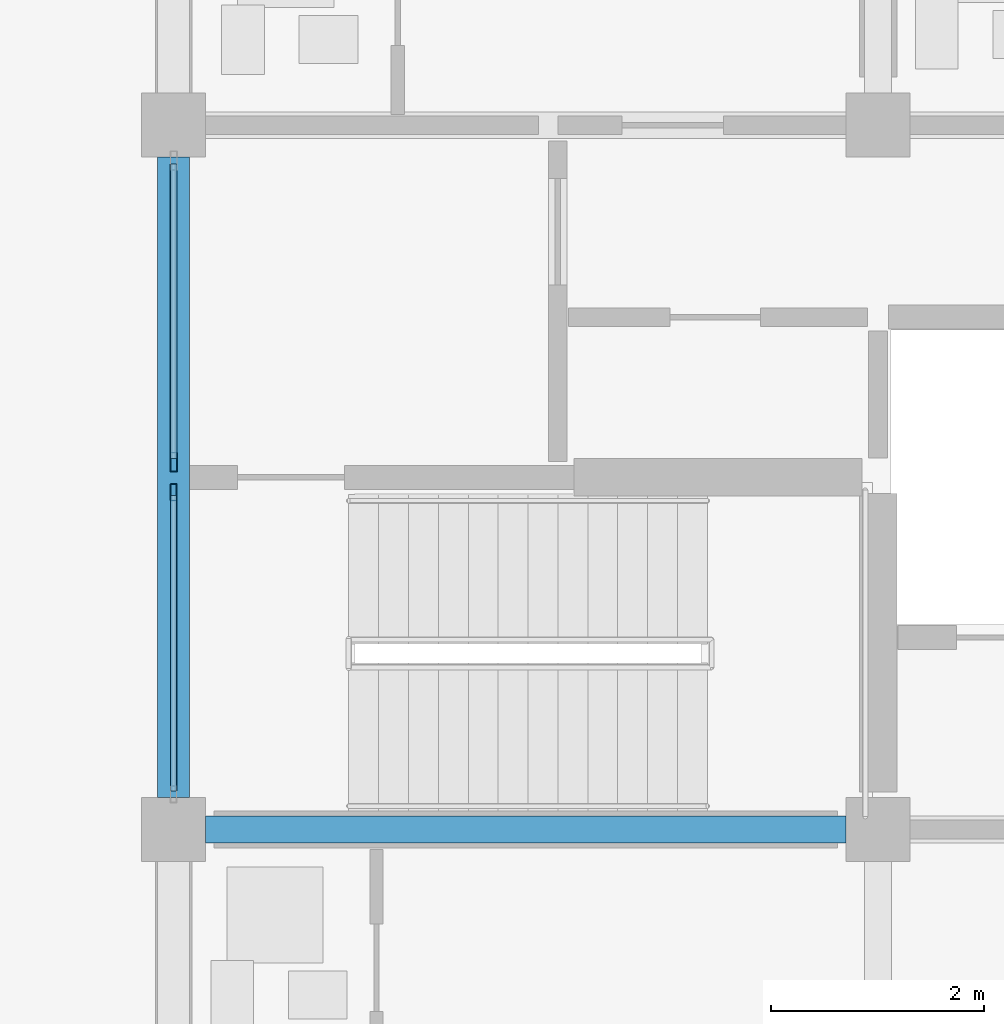
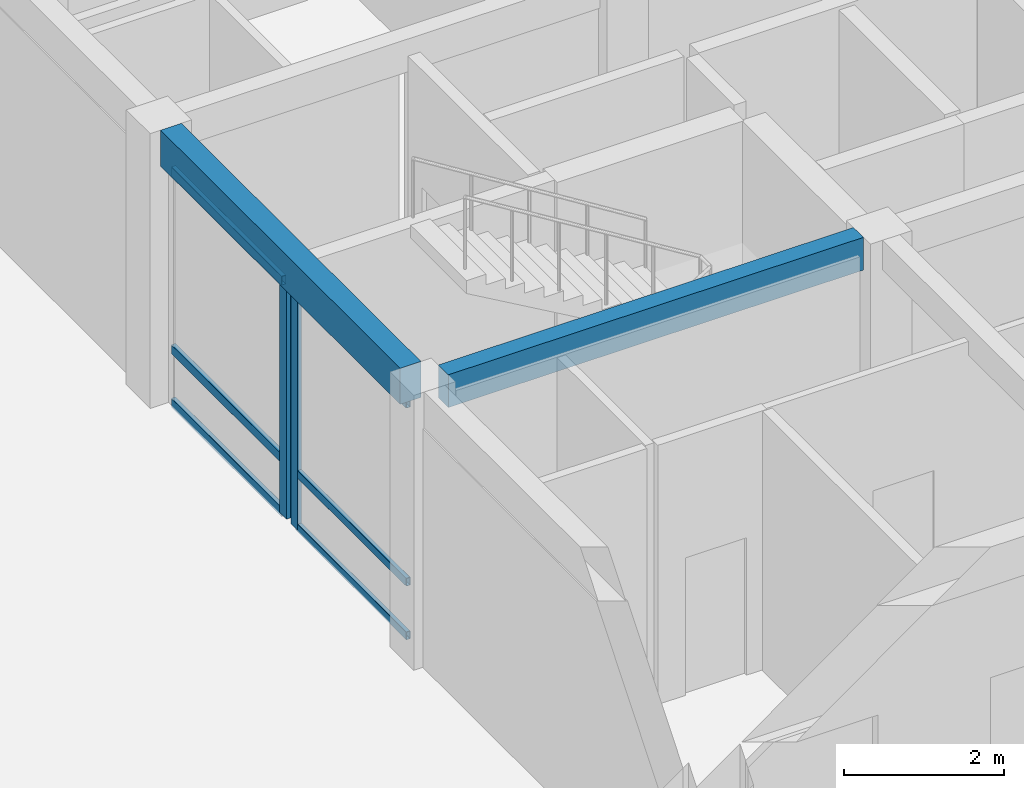
# One storey, part 33 of 92: 8 members, 2 beams, 2 elements without a shape of their own.
"""IFC4 building model written with IfcOpenShell, lengths in metres."""

from ifc_helpers import new_model, si_unit, direction, frame, origin, origin_2d, place, context, subcontext, project, spatial, rectangle, hollow_rectangle, extrude, material, material_profile, profile_set, type_object, element, aggregate, save


model = new_model("IFC4")

# Units and contexts
model_context = context("Model", 3, precision=1e-05, world=origin(), true_north=direction((0.0, 1.0)))
body_context = subcontext(model_context, "Body", "Model", "MODEL_VIEW")
ifc_project = project(units=[si_unit("LENGTHUNIT", "METRE"), si_unit("AREAUNIT", "SQUARE_METRE"), si_unit("VOLUMEUNIT", "CUBIC_METRE"), si_unit("PLANEANGLEUNIT", "RADIAN"), si_unit("MASSUNIT", "GRAM", prefix="KILO")], contexts=[model_context])

# Site, building, storey
site_placement = place(None, origin())
site = spatial("IfcSite", under=ifc_project, at=site_placement, CompositionType="ELEMENT")
building_placement = place(site_placement, origin())
building = spatial("IfcBuilding", under=site, at=building_placement, Name="Kernevlak Ridge Housing Community", CompositionType="ELEMENT")
storey_placement = place(building_placement, frame((0.0, 0.0, 4.199951171875)))
storey = spatial("IfcBuildingStorey", under=building, at=storey_placement, Name="L01", CompositionType="ELEMENT", Elevation=4.199951171875)

# Beam
ifc_material_1 = material(Name="Concrete C35/45", Category="concrete")
ifc_material_profile_1 = material_profile(ifc_material_1, rectangle(XDim=0.25, YDim=0.5, at=origin_2d()), Name="RC 250x500")
ifc_profile_set_1 = profile_set([ifc_material_profile_1], Name="Concrete C35/45")
beam_type_1 = type_object("IfcBeamType", Name="B-06", PredefinedType="T_BEAM", material=ifc_profile_set_1)
beam_1_placement = place(storey_placement, frame((15.89990234375, 82.60009765625, 3.949951171875), z_axis=(1.0, 0.0, 0.0), x_axis=(0.0, 1.0, 0.0)))
element("IfcBeam", 1, at=beam_1_placement, inside=storey, type_object=beam_type_1, Name="Beam B-06 L01 78", PredefinedType="T_BEAM", context=body_context, shape_type="SweptSolid", body=[
    extrude(rectangle(XDim=0.25, YDim=0.5, at=origin_2d()), origin(), (0.0, 0.0, 1.0), 6.0),
])

# Curtain wall, member
ifc_material_2 = material(Name="Aluminium EN AW-6060 anodised and laminated glass", Category="aluminium")
curtain_wall_type_1 = type_object("IfcCurtainWallType", Name="CW-02", PredefinedType="NOTDEFINED", material=ifc_material_2)
curtain_wall_1_placement = place(storey_placement, origin())
curtain_wall_1 = element("IfcCurtainWall", 2, at=curtain_wall_1_placement, inside=storey, type_object=curtain_wall_type_1, Name="Curtain wall CW-02 CW-L01-004", PredefinedType="NOTDEFINED")
ifc_material_3 = material(Name="Aluminium EN AW-6060 anodised", Category="aluminium")
ifc_material_profile_2 = material_profile(ifc_material_3, hollow_rectangle(XDim=0.06005859375, YDim=0.159912109375, WallThickness=0.00390625, InnerFilletRadius=0.001953125, OuterFilletRadius=0.00390625, at=origin_2d()), Name="ALU 60x160x4")
ifc_profile_set_2 = profile_set([ifc_material_profile_2], Name="Aluminium EN AW-6060 anodised")
member_type_1 = type_object("IfcMemberType", Name="MU-02", PredefinedType="MULLION", material=ifc_profile_set_2)
member_1_placement = place(storey_placement, frame((15.60009765625, 85.760009765625, 0.0), z_axis=(0.0, 0.0, 1.0), x_axis=(-1.0, 0.0, 0.0)))
member_1 = element("IfcMember", 3, at=member_1_placement, type_object=member_type_1, Name="CW-02 mullion 2", PredefinedType="MULLION", context=body_context, shape_type="SweptSolid", body=[
    extrude(hollow_rectangle(XDim=0.06005859375, YDim=0.159912109375, WallThickness=0.00390625, InnerFilletRadius=0.001953125, OuterFilletRadius=0.00390625, at=origin_2d()), origin(), (0.0, 0.0, 1.0), 3.60009765625),
])

curtain_wall_type_2 = type_object("IfcCurtainWallType", Name="CW-08", PredefinedType="NOTDEFINED", material=ifc_material_2)
curtain_wall_2_placement = place(storey_placement, origin())
curtain_wall_2 = element("IfcCurtainWall", 4, at=curtain_wall_2_placement, inside=storey, type_object=curtain_wall_type_2, Name="Curtain wall CW-08 CW-L01-005", PredefinedType="NOTDEFINED")
ifc_material_profile_3 = material_profile(ifc_material_3, hollow_rectangle(XDim=0.06494140625, YDim=0.179931640625, WallThickness=0.00439453125, InnerFilletRadius=0.001953125, OuterFilletRadius=0.00439453125, at=origin_2d()), Name="ALU 65x180x4.5")
ifc_profile_set_3 = profile_set([ifc_material_profile_3], Name="Aluminium EN AW-6060 anodised")
member_type_2 = type_object("IfcMemberType", Name="MU-03", PredefinedType="MULLION", material=ifc_profile_set_3)
member_2_placement = place(storey_placement, frame((15.60009765625, 86.04248046875, 0.0), z_axis=(0.0, 0.0, 1.0), x_axis=(-1.0, 0.0, 0.0)))
member_2 = element("IfcMember", 5, at=member_2_placement, type_object=member_type_2, Name="CW-08 mullion 1", PredefinedType="MULLION", context=body_context, shape_type="SweptSolid", body=[
    extrude(hollow_rectangle(XDim=0.06494140625, YDim=0.179931640625, WallThickness=0.00439453125, InnerFilletRadius=0.001953125, OuterFilletRadius=0.00439453125, at=origin_2d()), origin(), (0.0, 0.0, 1.0), 3.60009765625),
])

# Beam
ifc_material_profile_4 = material_profile(ifc_material_1, rectangle(XDim=0.300048828125, YDim=0.550048828125, at=origin_2d()), Name="RC 300x550")
ifc_profile_set_4 = profile_set([ifc_material_profile_4], Name="Concrete C35/45")
beam_type_2 = type_object("IfcBeamType", Name="SP-01", PredefinedType="SPANDREL", material=ifc_profile_set_4)
beam_2_placement = place(storey_placement, frame((15.60009765625, 82.89990234375, 3.925048828125), z_axis=(0.0, 1.0, 0.0), x_axis=(-1.0, 0.0, 0.0)))
element("IfcBeam", 6, at=beam_2_placement, inside=storey, type_object=beam_type_2, Name="Beam SP-01 L01 94", PredefinedType="SPANDREL", context=body_context, shape_type="SweptSolid", body=[
    extrude(rectangle(XDim=0.300048828125, YDim=0.550048828125, at=origin_2d()), origin(), (0.0, 0.0, 1.0), 6.0),
])

# Member
ifc_material_profile_5 = material_profile(ifc_material_3, hollow_rectangle(XDim=0.06005859375, YDim=0.1201171875, WallThickness=0.00390625, InnerFilletRadius=0.001953125, OuterFilletRadius=0.00390625, at=origin_2d()), Name="ALU 60x120x4")
ifc_profile_set_5 = profile_set([ifc_material_profile_5], Name="Aluminium EN AW-6060 anodised")
member_type_3 = type_object("IfcMemberType", Name="TM-02", PredefinedType="USERDEFINED", material=ifc_profile_set_5)
member_3_placement = place(storey_placement, frame((15.60009765625, 82.9599609375, 0.030029296875), z_axis=(0.0, 1.0, 0.0), x_axis=(-1.0, 0.0, 0.0)))
member_3 = element("IfcMember", 7, at=member_3_placement, type_object=member_type_3, Name="CW-02 transom 1.1", ObjectType="TRANSOM", PredefinedType="USERDEFINED", context=body_context, shape_type="SweptSolid", body=[
    extrude(hollow_rectangle(XDim=0.06005859375, YDim=0.1201171875, WallThickness=0.00390625, InnerFilletRadius=0.001953125, OuterFilletRadius=0.00390625, at=origin_2d()), origin(), (0.0, 0.0, 1.0), 2.77001953125),
])

member_4_placement = place(storey_placement, frame((15.60009765625, 82.9599609375, 0.85009765625), z_axis=(0.0, 1.0, 0.0), x_axis=(-1.0, 0.0, 0.0)))
member_4 = element("IfcMember", 8, at=member_4_placement, type_object=member_type_3, Name="CW-02 transom 1.2", ObjectType="TRANSOM", PredefinedType="USERDEFINED", context=body_context, shape_type="SweptSolid", body=[
    extrude(hollow_rectangle(XDim=0.06005859375, YDim=0.1201171875, WallThickness=0.00390625, InnerFilletRadius=0.001953125, OuterFilletRadius=0.00390625, at=origin_2d()), origin(), (0.0, 0.0, 1.0), 2.77001953125),
])

member_5_placement = place(storey_placement, frame((15.60009765625, 82.9599609375, 3.570068359375), z_axis=(0.0, 1.0, 0.0), x_axis=(-1.0, 0.0, 0.0)))
member_5 = element("IfcMember", 9, at=member_5_placement, type_object=member_type_3, Name="CW-02 transom 1.3", ObjectType="TRANSOM", PredefinedType="USERDEFINED", context=body_context, shape_type="SweptSolid", body=[
    extrude(hollow_rectangle(XDim=0.06005859375, YDim=0.1201171875, WallThickness=0.00390625, InnerFilletRadius=0.001953125, OuterFilletRadius=0.00390625, at=origin_2d()), origin(), (0.0, 0.0, 1.0), 2.77001953125),
])

aggregate(curtain_wall_1, [member_1, member_3, member_4, member_5])

ifc_material_profile_6 = material_profile(ifc_material_3, hollow_rectangle(XDim=0.06494140625, YDim=0.139892578125, WallThickness=0.00390625, InnerFilletRadius=0.001953125, OuterFilletRadius=0.00390625, at=origin_2d()), Name="ALU 65x140x4")
ifc_profile_set_6 = profile_set([ifc_material_profile_6], Name="Aluminium EN AW-6060 anodised")
member_type_4 = type_object("IfcMemberType", Name="TM-03", PredefinedType="USERDEFINED", material=ifc_profile_set_6)
member_6_placement = place(storey_placement, frame((15.60009765625, 86.074951171875, 0.032470703125), z_axis=(0.0, 1.0, 0.0), x_axis=(-1.0, 0.0, 0.0)))
member_6 = element("IfcMember", 10, at=member_6_placement, type_object=member_type_4, Name="CW-08 transom 1.1", ObjectType="TRANSOM", PredefinedType="USERDEFINED", context=body_context, shape_type="SweptSolid", body=[
    extrude(hollow_rectangle(XDim=0.06494140625, YDim=0.139892578125, WallThickness=0.00390625, InnerFilletRadius=0.001953125, OuterFilletRadius=0.00390625, at=origin_2d()), origin(), (0.0, 0.0, 1.0), 2.760009765625),
])

member_7_placement = place(storey_placement, frame((15.60009765625, 86.074951171875, 0.85009765625), z_axis=(0.0, 1.0, 0.0), x_axis=(-1.0, 0.0, 0.0)))
member_7 = element("IfcMember", 11, at=member_7_placement, type_object=member_type_4, Name="CW-08 transom 1.2", ObjectType="TRANSOM", PredefinedType="USERDEFINED", context=body_context, shape_type="SweptSolid", body=[
    extrude(hollow_rectangle(XDim=0.06494140625, YDim=0.139892578125, WallThickness=0.00390625, InnerFilletRadius=0.001953125, OuterFilletRadius=0.00390625, at=origin_2d()), origin(), (0.0, 0.0, 1.0), 2.760009765625),
])

member_8_placement = place(storey_placement, frame((15.60009765625, 86.074951171875, 3.567626953125), z_axis=(0.0, 1.0, 0.0), x_axis=(-1.0, 0.0, 0.0)))
member_8 = element("IfcMember", 12, at=member_8_placement, type_object=member_type_4, Name="CW-08 transom 1.3", ObjectType="TRANSOM", PredefinedType="USERDEFINED", context=body_context, shape_type="SweptSolid", body=[
    extrude(hollow_rectangle(XDim=0.06494140625, YDim=0.139892578125, WallThickness=0.00390625, InnerFilletRadius=0.001953125, OuterFilletRadius=0.00390625, at=origin_2d()), origin(), (0.0, 0.0, 1.0), 2.760009765625),
])

aggregate(curtain_wall_2, [member_2, member_6, member_7, member_8])

save(model, "model.ifc")
